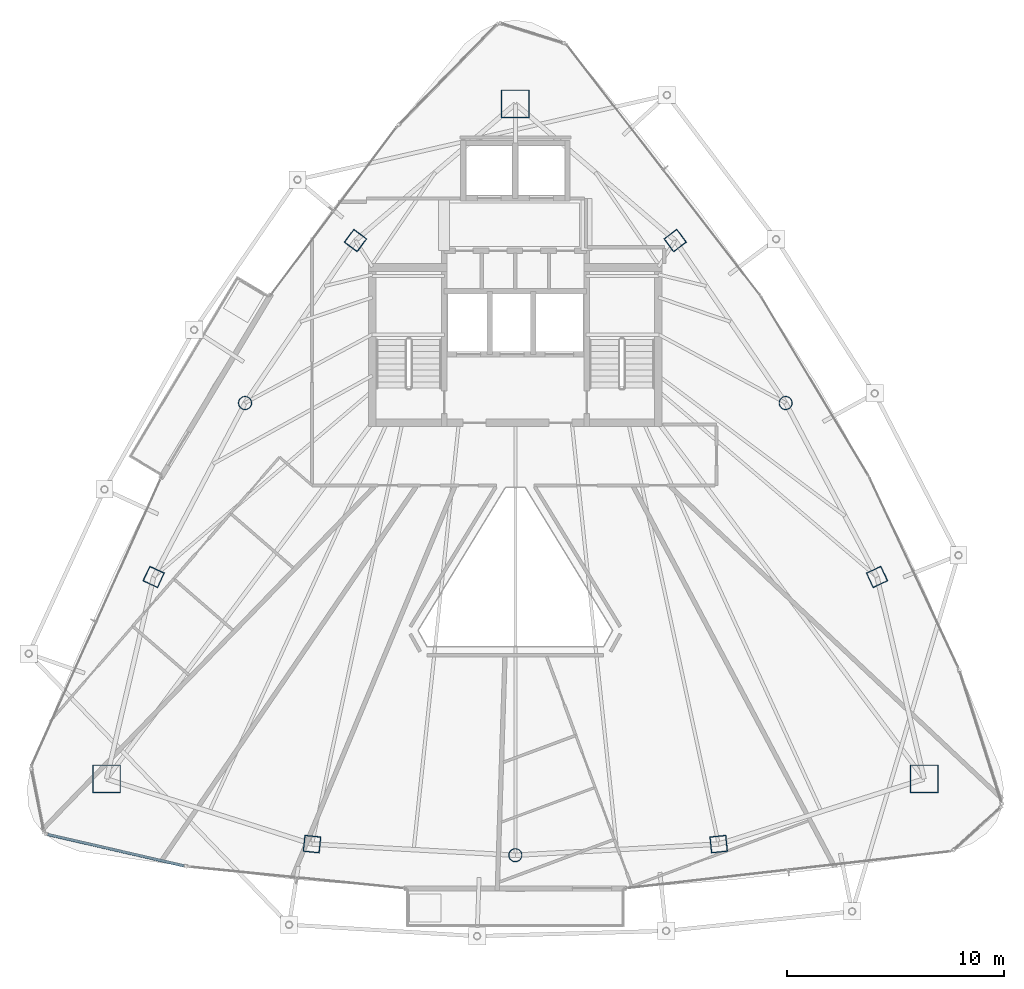
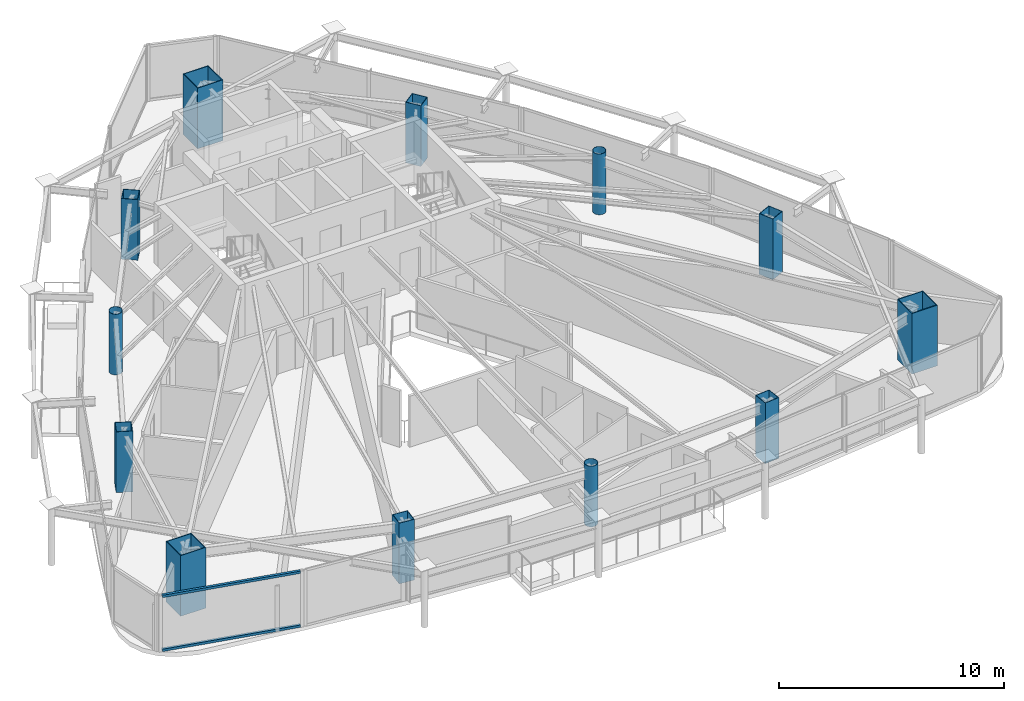
# One storey, part 1 of 29: 12 columns, 2 members, 1 element without a shape of its own.
"""IFC4 building model written with IfcOpenShell, lengths in metres."""

from ifc_helpers import new_model, si_unit, direction, frame, origin, origin_2d, place, context, subcontext, project, spatial, hollow_rectangle, hollow_circle, extrude, material, layer, layer_set, material_profile, profile_set, type_object, element, aggregate, save


model = new_model("IFC4")

# Units and contexts
model_context = context("Model", 3, precision=1e-05, world=origin(), true_north=direction((0.0, 1.0)))
body_context = subcontext(model_context, "Body", "Model", "MODEL_VIEW")
ifc_project = project(units=[si_unit("LENGTHUNIT", "METRE"), si_unit("AREAUNIT", "SQUARE_METRE"), si_unit("VOLUMEUNIT", "CUBIC_METRE"), si_unit("PLANEANGLEUNIT", "RADIAN"), si_unit("MASSUNIT", "GRAM", prefix="KILO")], contexts=[model_context])

# Site, building, storey
site_placement = place(None, origin())
site = spatial("IfcSite", under=ifc_project, at=site_placement, CompositionType="ELEMENT")
building_placement = place(site_placement, origin())
building = spatial("IfcBuilding", under=site, at=building_placement, Name="Orvanel Arch Residences", CompositionType="ELEMENT")
storey_placement = place(building_placement, frame((0.0, 0.0, 246.949951171875)))
storey = spatial("IfcBuildingStorey", under=building, at=storey_placement, Name="L70", CompositionType="ELEMENT", Elevation=246.949951171875)

# Columns
ifc_material_1 = material(Name="Structural steel AS/NZS 1163 C350L0 (Grade 350)", Category="steel")
ifc_material_profile_1 = material_profile(ifc_material_1, hollow_circle(Radius=0.304931640625, WallThickness=0.01611328125, at=origin_2d()), Name="CHS610x16")
ifc_profile_set_1 = profile_set([ifc_material_profile_1], Name="Structural steel AS/NZS 1163 C350L0 (Grade 350)")
column_type_1 = type_object("IfcColumnType", Name="CC-610", PredefinedType="COLUMN", material=ifc_profile_set_1)
for number, where, z_axis, x_axis, name in (
    (1, (20.569091796875, 27.64111328125, 0.0), (0.0, 0.0, 1.0), (1.0, 0.0, 0.0), "L70 High-Rise Tube Column 02"),
    (2, (33.0, 6.843994140625, 0.0), (0.0, 0.0, 1.0), (1.0, 0.0, 0.0), "L70 High-Rise Tube Column 05"),
    (3, (45.430908203125, 27.64111328125, 0.0), (0.0, 0.0, 1.0), (1.0, 0.0, 0.0), "L70 High-Rise Tube Column 08"),
):
    element("IfcColumn", number, at=place(storey_placement, frame(where, z_axis=z_axis, x_axis=x_axis)), inside=storey, type_object=column_type_1, Name=name, PredefinedType="COLUMN", context=body_context, shape_type="SweptSolid", body=[
        extrude(hollow_circle(Radius=0.304931640625, WallThickness=0.01611328125, at=origin_2d()), origin(), (0.0, 0.0, 1.0), 3.300048828125),
    ])
ifc_material_2 = material(Name="Structural steel AS/NZS 3678 Grade 450", Category="steel")
ifc_material_profile_2 = material_profile(ifc_material_2, hollow_rectangle(XDim=1.300048828125, YDim=1.300048828125, WallThickness=0.0400390625, at=origin_2d()), Name="BOX1300x1300x40")
ifc_profile_set_2 = profile_set([ifc_material_profile_2], Name="Structural steel AS/NZS 3678 Grade 450")
column_type_2 = type_object("IfcColumnType", Name="MC-1300", PredefinedType="COLUMN", material=ifc_profile_set_2)
for number, where, z_axis, x_axis, name in (
    (4, (33.0, 41.39794921875, 0.0), (0.0, 0.0, 1.0), (1.0, 0.0, 0.0), "L70 Corner Mega-Column 1"),
    (5, (14.198974609375, 10.35107421875, 0.0), (0.0, 0.0, 1.0), (1.0, 0.0, 0.0), "L70 Corner Mega-Column 2"),
    (6, (51.801025390625, 10.35107421875, 0.0), (0.0, 0.0, 1.0), (1.0, 0.0, 0.0), "L70 Corner Mega-Column 3"),
):
    element("IfcColumn", number, at=place(storey_placement, frame(where, z_axis=z_axis, x_axis=x_axis)), inside=storey, type_object=column_type_2, Name=name, PredefinedType="COLUMN", context=body_context, shape_type="SweptSolid", body=[
        extrude(hollow_rectangle(XDim=1.300048828125, YDim=1.300048828125, WallThickness=0.0400390625, at=origin_2d()), origin(), (0.0, 0.0, 1.0), 3.300048828125),
    ])
ifc_material_3 = material(Name="Structural steel AS/NZS 3678 Grade 350", Category="steel")
ifc_material_profile_3 = material_profile(ifc_material_3, hollow_rectangle(XDim=0.75, YDim=0.75, WallThickness=0.02490234375, at=origin_2d()), Name="BOX750x750x25")
ifc_profile_set_3 = profile_set([ifc_material_profile_3], Name="Structural steel AS/NZS 3678 Grade 350")
column_type_3 = type_object("IfcColumnType", Name="TC-750", PredefinedType="COLUMN", material=ifc_profile_set_3)
for number, where, z_axis, x_axis, name in (
    (7, (25.64794921875, 35.113037109375, 0.0), (0.0, 0.0, 1.0), (0.600420225326, 0.799684658487, 0.0), "L70 High-Rise Tube Column 01"),
    (8, (16.366943359375, 19.64208984375, 0.0), (0.0, 0.0, 1.0), (0.422618261741, 0.906307787037, 0.0), "L70 High-Rise Tube Column 03"),
    (9, (23.64892578125, 7.35498046875, 0.0), (0.0, 0.0, 1.0), (-0.994880708829, 0.101056297183, 0.0), "L70 High-Rise Tube Column 04"),
    (10, (42.35107421875, 7.35498046875, 0.0), (0.0, 0.0, 1.0), (0.994880708829, 0.101056297183, 0.0), "L70 High-Rise Tube Column 06"),
    (11, (49.633056640625, 19.64208984375, 0.0), (0.0, 0.0, 1.0), (-0.422618261741, 0.906307787037, 0.0), "L70 High-Rise Tube Column 07"),
    (12, (40.35205078125, 35.113037109375, 0.0), (0.0, 0.0, 1.0), (-0.600420225326, 0.799684658487, 0.0), "L70 High-Rise Tube Column 09"),
):
    element("IfcColumn", number, at=place(storey_placement, frame(where, z_axis=z_axis, x_axis=x_axis)), inside=storey, type_object=column_type_3, Name=name, PredefinedType="COLUMN", context=body_context, shape_type="SweptSolid", body=[
        extrude(hollow_rectangle(XDim=0.75, YDim=0.75, WallThickness=0.02490234375, at=origin_2d()), origin(), (0.0, 0.0, 1.0), 3.300048828125),
    ])

# Curtain wall, members
ifc_material_4 = material(Name="Bronze-anodised aluminium AA6063-T6", Category="aluminium")
ifc_layer = layer(ifc_material_4, 0.18994140625)
ifc_layer_set = layer_set([ifc_layer], Name="Bronze-anodised aluminium AA6063-T6")
curtain_wall_type = type_object("IfcCurtainWallType", Name="CW5-CRN-SYS", PredefinedType="NOTDEFINED", material=ifc_layer_set)
curtain_wall_placement = place(storey_placement, origin())
curtain_wall = element("IfcCurtainWall", 13, at=curtain_wall_placement, inside=storey, type_object=curtain_wall_type, Name="L70 CW5-CRN-SYS Unitised Curtain Wall", PredefinedType="NOTDEFINED")
ifc_material_profile_4 = material_profile(ifc_material_4, hollow_rectangle(XDim=0.1298828125, YDim=0.1298828125, WallThickness=0.00439453125, at=origin_2d()), Name="ALU130x130x4.5")
ifc_profile_set_4 = profile_set([ifc_material_profile_4], Name="Bronze-anodised aluminium AA6063-T6")
member_type = type_object("IfcMemberType", Name="TRN-130x130", PredefinedType="USERDEFINED", material=ifc_profile_set_4)
member_1_placement = place(storey_placement, frame((11.4951171875, 7.79931640625, 0.06494140625), z_axis=(0.974558417971, -0.224133643085, 0.0), x_axis=(0.224133643085, 0.974558417971, 0.0)))
member_1 = element("IfcMember", 14, at=member_1_placement, type_object=member_type, Name="CW-S5 transom 1.1", ObjectType="TRANSOM", PredefinedType="USERDEFINED", context=body_context, shape_type="SweptSolid", body=[
    extrude(hollow_rectangle(XDim=0.1298828125, YDim=0.1298828125, WallThickness=0.00439453125, at=origin_2d()), origin(), (0.0, 0.0, 1.0), 6.4365234375),
])
member_2_placement = place(storey_placement, frame((11.4951171875, 7.79931640625, 2.9951171875), z_axis=(0.974558417971, -0.224133643085, 0.0), x_axis=(0.224133643085, 0.974558417971, 0.0)))
member_2 = element("IfcMember", 15, at=member_2_placement, type_object=member_type, Name="CW-S5 transom 1.2", ObjectType="TRANSOM", PredefinedType="USERDEFINED", context=body_context, shape_type="SweptSolid", body=[
    extrude(hollow_rectangle(XDim=0.1298828125, YDim=0.1298828125, WallThickness=0.00439453125, at=origin_2d()), origin(), (0.0, 0.0, 1.0), 6.4365234375),
])
aggregate(curtain_wall, [member_1, member_2])

save(model, "model.ifc")
